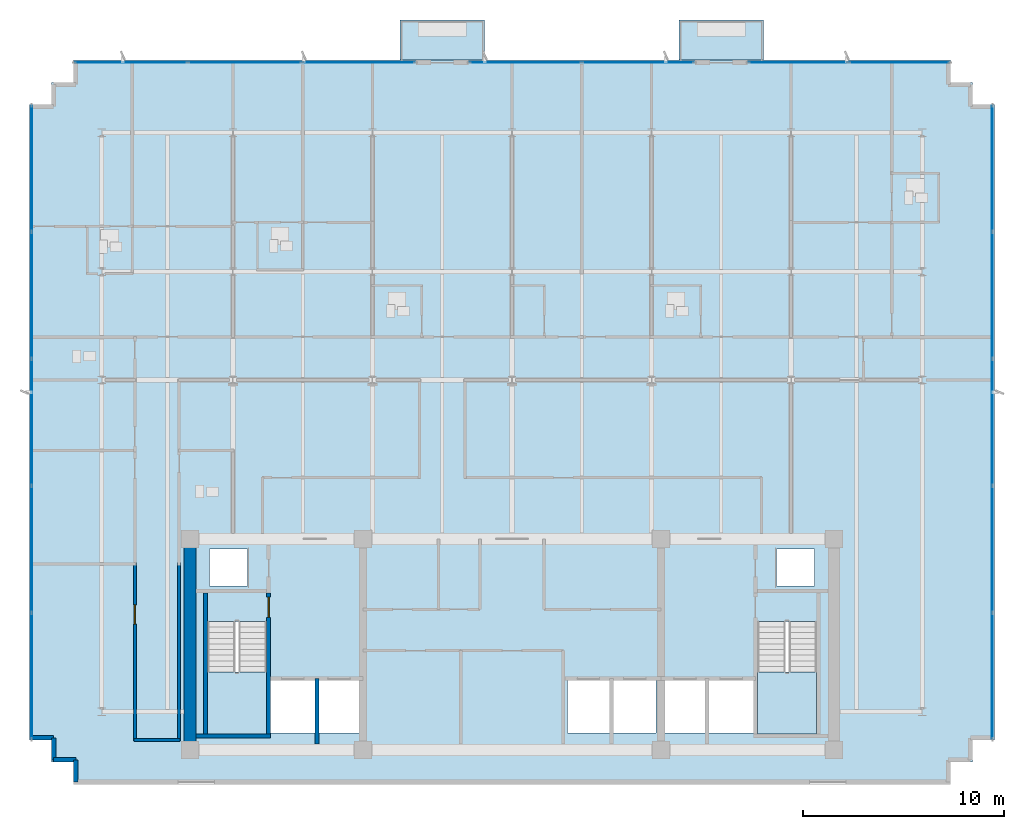
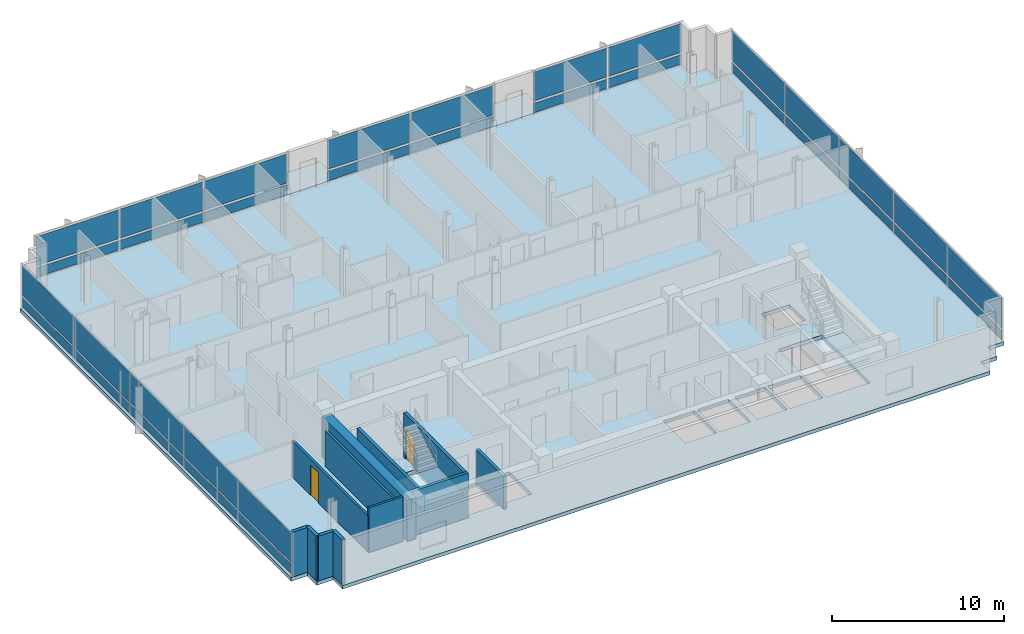
# One storey, part 7 of 14: 34 plates, 12 walls, 5 slabs, 2 doors, 2 openings, 7 elements without a shape of their own.
"""IFC4 building model written with IfcOpenShell, lengths in metres."""

from ifc_helpers import new_model, si_unit, direction, frame, frame_2d, origin, origin_2d, place, context, subcontext, project, spatial, polyline, rectangle, outline, extrude, material, layer, layer_set, type_object, element, fill, aggregate, save


model = new_model("IFC4")

# Units and contexts
model_context = context("Model", 3, precision=1e-05, world=origin(), true_north=direction((0.0, 1.0)))
body_context = subcontext(model_context, "Body", "Model", "MODEL_VIEW")
ifc_project = project(units=[si_unit("LENGTHUNIT", "METRE"), si_unit("AREAUNIT", "SQUARE_METRE"), si_unit("VOLUMEUNIT", "CUBIC_METRE"), si_unit("PLANEANGLEUNIT", "RADIAN"), si_unit("MASSUNIT", "GRAM", prefix="KILO")], contexts=[model_context])

# Site, building, storey
site_placement = place(None, origin())
site = spatial("IfcSite", under=ifc_project, at=site_placement, CompositionType="ELEMENT")
building_placement = place(site_placement, origin())
building = spatial("IfcBuilding", under=site, at=building_placement, Name="Solmavex Isthmus Hotel", CompositionType="ELEMENT")
storey_placement = place(building_placement, frame((0.0, 0.0, 255.75)))
storey = spatial("IfcBuildingStorey", under=building, at=storey_placement, Name="L69", CompositionType="ELEMENT", Elevation=255.75)

# Curtain wall, plates
ifc_material_1 = material(Name="Aluminium alloy 6063-T6", Category="aluminium")
curtain_wall_type = type_object("IfcCurtainWallType", Name="CW-SYS-04", PredefinedType="NOTDEFINED", material=ifc_material_1)
curtain_wall_1_placement = place(storey_placement, origin())
curtain_wall_1 = element("IfcCurtainWall", 1, at=curtain_wall_1_placement, inside=storey, type_object=curtain_wall_type, Name="Stick Curtain Wall CWL-L69-N1", PredefinedType="NOTDEFINED")
ifc_material_2 = material(Name="Clear low-E laminated glass", Category="glass")
ifc_layer_1 = layer(ifc_material_2, 0.033935546875)
ifc_layer_set_1 = layer_set([ifc_layer_1], Name="Clear low-E laminated glass")
plate_type = type_object("IfcPlateType", Name="CW-SYS-04-PNL", PredefinedType="CURTAIN_PANEL", material=ifc_layer_set_1)
plate_1_placement = place(storey_placement, frame((-18.942626953125, 21.179931640625, 0.14990234375), z_axis=(0.0, 0.0, 1.0), x_axis=(1.0, 0.0, 0.0)))
plate_1 = element("IfcPlate", 2, at=plate_1_placement, type_object=plate_type, Name="CW-04 panel 1.1", PredefinedType="CURTAIN_PANEL", context=body_context, shape_type="SweptSolid", body=[
    extrude(rectangle(XDim=5.56494140625, YDim=0.033935546875, at=origin_2d()), origin(), (0.0, 0.0, 1.0), 0.675048828125),
])
plate_2_placement = place(storey_placement, frame((-18.942626953125, 21.179931640625, 0.97509765625), z_axis=(0.0, 0.0, 1.0), x_axis=(1.0, 0.0, 0.0)))
plate_2 = element("IfcPlate", 3, at=plate_2_placement, type_object=plate_type, Name="CW-04 panel 1.2", PredefinedType="CURTAIN_PANEL", context=body_context, shape_type="SweptSolid", body=[
    extrude(rectangle(XDim=5.56494140625, YDim=0.033935546875, at=origin_2d()), origin(), (0.0, 0.0, 1.0), 2.06494140625),
])
plate_3_placement = place(storey_placement, frame((-13.283935546875, 21.179931640625, 0.14990234375), z_axis=(0.0, 0.0, 1.0), x_axis=(1.0, 0.0, 0.0)))
plate_3 = element("IfcPlate", 4, at=plate_3_placement, type_object=plate_type, Name="CW-04 panel 2.1", PredefinedType="CURTAIN_PANEL", context=body_context, shape_type="SweptSolid", body=[
    extrude(rectangle(XDim=5.602294921875, YDim=0.033935546875, at=origin_2d()), origin(), (0.0, 0.0, 1.0), 0.675048828125),
])
plate_4_placement = place(storey_placement, frame((-13.283935546875, 21.179931640625, 0.97509765625), z_axis=(0.0, 0.0, 1.0), x_axis=(1.0, 0.0, 0.0)))
plate_4 = element("IfcPlate", 5, at=plate_4_placement, type_object=plate_type, Name="CW-04 panel 2.2", PredefinedType="CURTAIN_PANEL", context=body_context, shape_type="SweptSolid", body=[
    extrude(rectangle(XDim=5.602294921875, YDim=0.033935546875, at=origin_2d()), origin(), (0.0, 0.0, 1.0), 2.06494140625),
])
plate_5_placement = place(storey_placement, frame((-7.62548828125, 21.179931640625, 0.14990234375), z_axis=(0.0, 0.0, 1.0), x_axis=(1.0, 0.0, 0.0)))
plate_5 = element("IfcPlate", 6, at=plate_5_placement, type_object=plate_type, Name="CW-04 panel 3.1", PredefinedType="CURTAIN_PANEL", context=body_context, shape_type="SweptSolid", body=[
    extrude(rectangle(XDim=5.56494140625, YDim=0.033935546875, at=origin_2d()), origin(), (0.0, 0.0, 1.0), 0.675048828125),
])
plate_6_placement = place(storey_placement, frame((-7.62548828125, 21.179931640625, 0.97509765625), z_axis=(0.0, 0.0, 1.0), x_axis=(1.0, 0.0, 0.0)))
plate_6 = element("IfcPlate", 7, at=plate_6_placement, type_object=plate_type, Name="CW-04 panel 3.2", PredefinedType="CURTAIN_PANEL", context=body_context, shape_type="SweptSolid", body=[
    extrude(rectangle(XDim=5.56494140625, YDim=0.033935546875, at=origin_2d()), origin(), (0.0, 0.0, 1.0), 2.06494140625),
])
aggregate(curtain_wall_1, [plate_1, plate_2, plate_3, plate_4, plate_5, plate_6])

curtain_wall_2_placement = place(storey_placement, origin())
curtain_wall_2 = element("IfcCurtainWall", 8, at=curtain_wall_2_placement, inside=storey, type_object=curtain_wall_type, Name="Stick Curtain Wall CWL-L69-N2", PredefinedType="NOTDEFINED")
plate_7_placement = place(storey_placement, frame((0.668701171875, 21.179931640625, 0.14990234375), z_axis=(0.0, 0.0, 1.0), x_axis=(1.0, 0.0, 0.0)))
plate_7 = element("IfcPlate", 9, at=plate_7_placement, type_object=plate_type, Name="CW-04 panel 1.1", PredefinedType="CURTAIN_PANEL", context=body_context, shape_type="SweptSolid", body=[
    extrude(rectangle(XDim=5.5234375, YDim=0.033935546875, at=origin_2d()), origin(), (0.0, 0.0, 1.0), 0.675048828125),
])
plate_8_placement = place(storey_placement, frame((0.668701171875, 21.179931640625, 0.97509765625), z_axis=(0.0, 0.0, 1.0), x_axis=(1.0, 0.0, 0.0)))
plate_8 = element("IfcPlate", 10, at=plate_8_placement, type_object=plate_type, Name="CW-04 panel 1.2", PredefinedType="CURTAIN_PANEL", context=body_context, shape_type="SweptSolid", body=[
    extrude(rectangle(XDim=5.5234375, YDim=0.033935546875, at=origin_2d()), origin(), (0.0, 0.0, 1.0), 2.06494140625),
])
plate_9_placement = place(storey_placement, frame((6.267333984375, 21.179931640625, 0.14990234375), z_axis=(0.0, 0.0, 1.0), x_axis=(1.0, 0.0, 0.0)))
plate_9 = element("IfcPlate", 11, at=plate_9_placement, type_object=plate_type, Name="CW-04 panel 2.1", PredefinedType="CURTAIN_PANEL", context=body_context, shape_type="SweptSolid", body=[
    extrude(rectangle(XDim=5.5234375, YDim=0.033935546875, at=origin_2d()), origin(), (0.0, 0.0, 1.0), 0.675048828125),
])
plate_10_placement = place(storey_placement, frame((6.267333984375, 21.179931640625, 0.97509765625), z_axis=(0.0, 0.0, 1.0), x_axis=(1.0, 0.0, 0.0)))
plate_10 = element("IfcPlate", 12, at=plate_10_placement, type_object=plate_type, Name="CW-04 panel 2.2", PredefinedType="CURTAIN_PANEL", context=body_context, shape_type="SweptSolid", body=[
    extrude(rectangle(XDim=5.5234375, YDim=0.033935546875, at=origin_2d()), origin(), (0.0, 0.0, 1.0), 2.06494140625),
])
aggregate(curtain_wall_2, [plate_7, plate_8, plate_9, plate_10])

curtain_wall_3_placement = place(storey_placement, origin())
curtain_wall_3 = element("IfcCurtainWall", 13, at=curtain_wall_3_placement, inside=storey, type_object=curtain_wall_type, Name="Stick Curtain Wall CWL-L69-N3", PredefinedType="NOTDEFINED")
plate_11_placement = place(storey_placement, frame((14.246826171875, 21.179931640625, 0.14990234375), z_axis=(0.0, 0.0, 1.0), x_axis=(1.0, 0.0, 0.0)))
plate_11 = element("IfcPlate", 14, at=plate_11_placement, type_object=plate_type, Name="CW-04 panel 1.1", PredefinedType="CURTAIN_PANEL", context=body_context, shape_type="SweptSolid", body=[
    extrude(rectangle(XDim=4.935546875, YDim=0.033935546875, at=origin_2d()), origin(), (0.0, 0.0, 1.0), 0.675048828125),
])
plate_12_placement = place(storey_placement, frame((14.246826171875, 21.179931640625, 0.97509765625), z_axis=(0.0, 0.0, 1.0), x_axis=(1.0, 0.0, 0.0)))
plate_12 = element("IfcPlate", 15, at=plate_12_placement, type_object=plate_type, Name="CW-04 panel 1.2", PredefinedType="CURTAIN_PANEL", context=body_context, shape_type="SweptSolid", body=[
    extrude(rectangle(XDim=4.935546875, YDim=0.033935546875, at=origin_2d()), origin(), (0.0, 0.0, 1.0), 2.06494140625),
])
plate_13_placement = place(storey_placement, frame((19.25732421875, 21.179931640625, 0.14990234375), z_axis=(0.0, 0.0, 1.0), x_axis=(1.0, 0.0, 0.0)))
plate_13 = element("IfcPlate", 16, at=plate_13_placement, type_object=plate_type, Name="CW-04 panel 2.1", PredefinedType="CURTAIN_PANEL", context=body_context, shape_type="SweptSolid", body=[
    extrude(rectangle(XDim=4.935546875, YDim=0.033935546875, at=origin_2d()), origin(), (0.0, 0.0, 1.0), 0.675048828125),
])
plate_14_placement = place(storey_placement, frame((19.25732421875, 21.179931640625, 0.97509765625), z_axis=(0.0, 0.0, 1.0), x_axis=(1.0, 0.0, 0.0)))
plate_14 = element("IfcPlate", 17, at=plate_14_placement, type_object=plate_type, Name="CW-04 panel 2.2", PredefinedType="CURTAIN_PANEL", context=body_context, shape_type="SweptSolid", body=[
    extrude(rectangle(XDim=4.935546875, YDim=0.033935546875, at=origin_2d()), origin(), (0.0, 0.0, 1.0), 2.06494140625),
])
aggregate(curtain_wall_3, [plate_11, plate_12, plate_13, plate_14])

curtain_wall_4_placement = place(storey_placement, origin())
curtain_wall_4 = element("IfcCurtainWall", 18, at=curtain_wall_4_placement, inside=storey, type_object=curtain_wall_type, Name="Stick Curtain Wall CWL-L69-W1", PredefinedType="NOTDEFINED")
plate_15_placement = place(storey_placement, frame((-23.8798828125, -9.3212890625, 0.14990234375), z_axis=(0.0, 0.0, 1.0), x_axis=(0.0, 1.0, 0.0)))
plate_15 = element("IfcPlate", 19, at=plate_15_placement, type_object=plate_type, Name="CW-04 panel 1.1", PredefinedType="CURTAIN_PANEL", context=body_context, shape_type="SweptSolid", body=[
    extrude(rectangle(XDim=6.20751953125, YDim=0.033935546875, at=origin_2d()), origin(), (0.0, 0.0, 1.0), 0.675048828125),
])
plate_16_placement = place(storey_placement, frame((-23.8798828125, -9.3212890625, 0.97509765625), z_axis=(0.0, 0.0, 1.0), x_axis=(0.0, 1.0, 0.0)))
plate_16 = element("IfcPlate", 20, at=plate_16_placement, type_object=plate_type, Name="CW-04 panel 1.2", PredefinedType="CURTAIN_PANEL", context=body_context, shape_type="SweptSolid", body=[
    extrude(rectangle(XDim=6.20751953125, YDim=0.033935546875, at=origin_2d()), origin(), (0.0, 0.0, 1.0), 2.06494140625),
])
plate_17_placement = place(storey_placement, frame((-23.8798828125, -3.02001953125, 0.14990234375), z_axis=(0.0, 0.0, 1.0), x_axis=(0.0, 1.0, 0.0)))
plate_17 = element("IfcPlate", 21, at=plate_17_placement, type_object=plate_type, Name="CW-04 panel 2.1", PredefinedType="CURTAIN_PANEL", context=body_context, shape_type="SweptSolid", body=[
    extrude(rectangle(XDim=6.2451171875, YDim=0.033935546875, at=origin_2d()), origin(), (0.0, 0.0, 1.0), 0.675048828125),
])
plate_18_placement = place(storey_placement, frame((-23.8798828125, -3.02001953125, 0.97509765625), z_axis=(0.0, 0.0, 1.0), x_axis=(0.0, 1.0, 0.0)))
plate_18 = element("IfcPlate", 22, at=plate_18_placement, type_object=plate_type, Name="CW-04 panel 2.2", PredefinedType="CURTAIN_PANEL", context=body_context, shape_type="SweptSolid", body=[
    extrude(rectangle(XDim=6.2451171875, YDim=0.033935546875, at=origin_2d()), origin(), (0.0, 0.0, 1.0), 2.06494140625),
])
plate_19_placement = place(storey_placement, frame((-23.8798828125, 3.300048828125, 0.14990234375), z_axis=(0.0, 0.0, 1.0), x_axis=(0.0, 1.0, 0.0)))
plate_19 = element("IfcPlate", 23, at=plate_19_placement, type_object=plate_type, Name="CW-04 panel 3.1", PredefinedType="CURTAIN_PANEL", context=body_context, shape_type="SweptSolid", body=[
    extrude(rectangle(XDim=6.2451171875, YDim=0.033935546875, at=origin_2d()), origin(), (0.0, 0.0, 1.0), 0.675048828125),
])
plate_20_placement = place(storey_placement, frame((-23.8798828125, 3.300048828125, 0.97509765625), z_axis=(0.0, 0.0, 1.0), x_axis=(0.0, 1.0, 0.0)))
plate_20 = element("IfcPlate", 24, at=plate_20_placement, type_object=plate_type, Name="CW-04 panel 3.2", PredefinedType="CURTAIN_PANEL", context=body_context, shape_type="SweptSolid", body=[
    extrude(rectangle(XDim=6.2451171875, YDim=0.033935546875, at=origin_2d()), origin(), (0.0, 0.0, 1.0), 2.06494140625),
])
plate_21_placement = place(storey_placement, frame((-23.8798828125, 9.6201171875, 0.14990234375), z_axis=(0.0, 0.0, 1.0), x_axis=(0.0, 1.0, 0.0)))
plate_21 = element("IfcPlate", 25, at=plate_21_placement, type_object=plate_type, Name="CW-04 panel 4.1", PredefinedType="CURTAIN_PANEL", context=body_context, shape_type="SweptSolid", body=[
    extrude(rectangle(XDim=6.2451171875, YDim=0.033935546875, at=origin_2d()), origin(), (0.0, 0.0, 1.0), 0.675048828125),
])
plate_22_placement = place(storey_placement, frame((-23.8798828125, 9.6201171875, 0.97509765625), z_axis=(0.0, 0.0, 1.0), x_axis=(0.0, 1.0, 0.0)))
plate_22 = element("IfcPlate", 26, at=plate_22_placement, type_object=plate_type, Name="CW-04 panel 4.2", PredefinedType="CURTAIN_PANEL", context=body_context, shape_type="SweptSolid", body=[
    extrude(rectangle(XDim=6.2451171875, YDim=0.033935546875, at=origin_2d()), origin(), (0.0, 0.0, 1.0), 2.06494140625),
])
plate_23_placement = place(storey_placement, frame((-23.8798828125, 15.921142578125, 0.14990234375), z_axis=(0.0, 0.0, 1.0), x_axis=(0.0, 1.0, 0.0)))
plate_23 = element("IfcPlate", 27, at=plate_23_placement, type_object=plate_type, Name="CW-04 panel 5.1", PredefinedType="CURTAIN_PANEL", context=body_context, shape_type="SweptSolid", body=[
    extrude(rectangle(XDim=6.20751953125, YDim=0.033935546875, at=origin_2d()), origin(), (0.0, 0.0, 1.0), 0.675048828125),
])
plate_24_placement = place(storey_placement, frame((-23.8798828125, 15.921142578125, 0.97509765625), z_axis=(0.0, 0.0, 1.0), x_axis=(0.0, 1.0, 0.0)))
plate_24 = element("IfcPlate", 28, at=plate_24_placement, type_object=plate_type, Name="CW-04 panel 5.2", PredefinedType="CURTAIN_PANEL", context=body_context, shape_type="SweptSolid", body=[
    extrude(rectangle(XDim=6.20751953125, YDim=0.033935546875, at=origin_2d()), origin(), (0.0, 0.0, 1.0), 2.06494140625),
])
aggregate(curtain_wall_4, [plate_15, plate_16, plate_17, plate_18, plate_19, plate_20, plate_21, plate_22, plate_23, plate_24])

curtain_wall_5_placement = place(storey_placement, origin())
curtain_wall_5 = element("IfcCurtainWall", 29, at=curtain_wall_5_placement, inside=storey, type_object=curtain_wall_type, Name="Stick Curtain Wall CWL-L69-E1", PredefinedType="NOTDEFINED")
plate_25_placement = place(storey_placement, frame((23.8798828125, -9.3212890625, 0.14990234375), z_axis=(0.0, 0.0, 1.0), x_axis=(0.0, 1.0, 0.0)))
plate_25 = element("IfcPlate", 30, at=plate_25_placement, type_object=plate_type, Name="CW-04 panel 1.1", PredefinedType="CURTAIN_PANEL", context=body_context, shape_type="SweptSolid", body=[
    extrude(rectangle(XDim=6.20751953125, YDim=0.033935546875, at=origin_2d()), origin(), (0.0, 0.0, 1.0), 0.675048828125),
])
plate_26_placement = place(storey_placement, frame((23.8798828125, -9.3212890625, 0.97509765625), z_axis=(0.0, 0.0, 1.0), x_axis=(0.0, 1.0, 0.0)))
plate_26 = element("IfcPlate", 31, at=plate_26_placement, type_object=plate_type, Name="CW-04 panel 1.2", PredefinedType="CURTAIN_PANEL", context=body_context, shape_type="SweptSolid", body=[
    extrude(rectangle(XDim=6.20751953125, YDim=0.033935546875, at=origin_2d()), origin(), (0.0, 0.0, 1.0), 2.06494140625),
])
plate_27_placement = place(storey_placement, frame((23.8798828125, -3.02001953125, 0.14990234375), z_axis=(0.0, 0.0, 1.0), x_axis=(0.0, 1.0, 0.0)))
plate_27 = element("IfcPlate", 32, at=plate_27_placement, type_object=plate_type, Name="CW-04 panel 2.1", PredefinedType="CURTAIN_PANEL", context=body_context, shape_type="SweptSolid", body=[
    extrude(rectangle(XDim=6.2451171875, YDim=0.033935546875, at=origin_2d()), origin(), (0.0, 0.0, 1.0), 0.675048828125),
])
plate_28_placement = place(storey_placement, frame((23.8798828125, -3.02001953125, 0.97509765625), z_axis=(0.0, 0.0, 1.0), x_axis=(0.0, 1.0, 0.0)))
plate_28 = element("IfcPlate", 33, at=plate_28_placement, type_object=plate_type, Name="CW-04 panel 2.2", PredefinedType="CURTAIN_PANEL", context=body_context, shape_type="SweptSolid", body=[
    extrude(rectangle(XDim=6.2451171875, YDim=0.033935546875, at=origin_2d()), origin(), (0.0, 0.0, 1.0), 2.06494140625),
])
plate_29_placement = place(storey_placement, frame((23.8798828125, 3.300048828125, 0.14990234375), z_axis=(0.0, 0.0, 1.0), x_axis=(0.0, 1.0, 0.0)))
plate_29 = element("IfcPlate", 34, at=plate_29_placement, type_object=plate_type, Name="CW-04 panel 3.1", PredefinedType="CURTAIN_PANEL", context=body_context, shape_type="SweptSolid", body=[
    extrude(rectangle(XDim=6.2451171875, YDim=0.033935546875, at=origin_2d()), origin(), (0.0, 0.0, 1.0), 0.675048828125),
])
plate_30_placement = place(storey_placement, frame((23.8798828125, 3.300048828125, 0.97509765625), z_axis=(0.0, 0.0, 1.0), x_axis=(0.0, 1.0, 0.0)))
plate_30 = element("IfcPlate", 35, at=plate_30_placement, type_object=plate_type, Name="CW-04 panel 3.2", PredefinedType="CURTAIN_PANEL", context=body_context, shape_type="SweptSolid", body=[
    extrude(rectangle(XDim=6.2451171875, YDim=0.033935546875, at=origin_2d()), origin(), (0.0, 0.0, 1.0), 2.06494140625),
])
plate_31_placement = place(storey_placement, frame((23.8798828125, 9.6201171875, 0.14990234375), z_axis=(0.0, 0.0, 1.0), x_axis=(0.0, 1.0, 0.0)))
plate_31 = element("IfcPlate", 36, at=plate_31_placement, type_object=plate_type, Name="CW-04 panel 4.1", PredefinedType="CURTAIN_PANEL", context=body_context, shape_type="SweptSolid", body=[
    extrude(rectangle(XDim=6.2451171875, YDim=0.033935546875, at=origin_2d()), origin(), (0.0, 0.0, 1.0), 0.675048828125),
])
plate_32_placement = place(storey_placement, frame((23.8798828125, 9.6201171875, 0.97509765625), z_axis=(0.0, 0.0, 1.0), x_axis=(0.0, 1.0, 0.0)))
plate_32 = element("IfcPlate", 37, at=plate_32_placement, type_object=plate_type, Name="CW-04 panel 4.2", PredefinedType="CURTAIN_PANEL", context=body_context, shape_type="SweptSolid", body=[
    extrude(rectangle(XDim=6.2451171875, YDim=0.033935546875, at=origin_2d()), origin(), (0.0, 0.0, 1.0), 2.06494140625),
])
plate_33_placement = place(storey_placement, frame((23.8798828125, 15.921142578125, 0.14990234375), z_axis=(0.0, 0.0, 1.0), x_axis=(0.0, 1.0, 0.0)))
plate_33 = element("IfcPlate", 38, at=plate_33_placement, type_object=plate_type, Name="CW-04 panel 5.1", PredefinedType="CURTAIN_PANEL", context=body_context, shape_type="SweptSolid", body=[
    extrude(rectangle(XDim=6.20751953125, YDim=0.033935546875, at=origin_2d()), origin(), (0.0, 0.0, 1.0), 0.675048828125),
])
plate_34_placement = place(storey_placement, frame((23.8798828125, 15.921142578125, 0.97509765625), z_axis=(0.0, 0.0, 1.0), x_axis=(0.0, 1.0, 0.0)))
plate_34 = element("IfcPlate", 39, at=plate_34_placement, type_object=plate_type, Name="CW-04 panel 5.2", PredefinedType="CURTAIN_PANEL", context=body_context, shape_type="SweptSolid", body=[
    extrude(rectangle(XDim=6.20751953125, YDim=0.033935546875, at=origin_2d()), origin(), (0.0, 0.0, 1.0), 2.06494140625),
])
aggregate(curtain_wall_5, [plate_25, plate_26, plate_27, plate_28, plate_29, plate_30, plate_31, plate_32, plate_33, plate_34])

# Slabs
ifc_material_3 = material(Name="Concrete C40/50", Category="concrete")
ifc_layer_2 = layer(ifc_material_3, 0.239990234375)
ifc_layer_set_2 = layer_set([ifc_layer_2], Name="Concrete C40/50")
slab_type_1 = type_object("IfcSlabType", Name="SLAB-BALC-240", PredefinedType="FLOOR", material=ifc_layer_set_2)
slab_1_placement = place(storey_placement, frame((0.0, 0.0, -0.239990234375)))
element("IfcSlab", 40, at=slab_1_placement, inside=storey, type_object=slab_type_1, Name="Tree-Planter Balcony Slab L69-B1", PredefinedType="FLOOR", context=body_context, shape_type="SweptSolid", body=[
    extrude(outline(polyline([(-5.568115234375, 21.31494140625), (-1.367919921875, 21.31494140625), (-1.367919921875, 23.300048828125), (-5.568115234375, 23.300048828125), (-5.568115234375, 21.31494140625)])), origin(), (0.0, 0.0, 1.0), 0.239990234375),
])
slab_2_placement = place(storey_placement, frame((0.0, 0.0, -0.239990234375)))
element("IfcSlab", 41, at=slab_2_placement, inside=storey, type_object=slab_type_1, Name="Tree-Planter Balcony Slab L69-B2", PredefinedType="FLOOR", context=body_context, shape_type="SweptSolid", body=[
    extrude(outline(polyline([(8.303955078125, 21.31494140625), (12.50390625, 21.31494140625), (12.50390625, 23.300048828125), (8.303955078125, 23.300048828125), (8.303955078125, 21.31494140625)])), origin(), (0.0, 0.0, 1.0), 0.239990234375),
])
ifc_layer_3 = layer(ifc_material_3, 0.260009765625)
ifc_layer_set_3 = layer_set([ifc_layer_3], Name="Concrete C40/50")
slab_type_2 = type_object("IfcSlabType", Name="SLAB-TYP-260", PredefinedType="FLOOR", material=ifc_layer_set_3)
slab_3_placement = place(storey_placement, frame((0.0, 0.0, -0.260009765625)))
element("IfcSlab", 42, at=slab_3_placement, inside=storey, type_object=slab_type_2, Name="Tower Structural Floor Slab L69", PredefinedType="FLOOR", context=body_context, shape_type="SweptSolid", body=[
    extrude(outline(polyline([(-20.699951171875, -14.699951171875), (20.699951171875, -14.699951171875), (21.800048828125, -14.699951171875), (21.800048828125, -13.60009765625), (22.89990234375, -13.60009765625), (22.89990234375, -12.5), (24.0, -12.5), (24.0, -11.39990234375), (24.0, 18.0), (24.0, 19.10009765625), (22.89990234375, 19.10009765625), (22.89990234375, 20.199951171875), (21.800048828125, 20.199951171875), (21.800048828125, 21.300048828125), (20.699951171875, 21.300048828125), (-20.699951171875, 21.300048828125), (-21.800048828125, 21.300048828125), (-21.800048828125, 20.199951171875), (-22.89990234375, 20.199951171875), (-22.89990234375, 19.10009765625), (-24.0, 19.10009765625), (-24.0, 18.0), (-24.0, -11.39990234375), (-24.0, -12.5), (-22.89990234375, -12.5), (-22.89990234375, -13.60009765625), (-21.800048828125, -13.60009765625), (-21.800048828125, -14.699951171875), (-20.699951171875, -14.699951171875)]), holes=[polyline([(-15.14990234375, -6.617919921875), (-15.14990234375, -12.199951171875), (-12.199951171875, -12.199951171875), (-12.199951171875, -6.617919921875), (-15.14990234375, -6.617919921875)]), polyline([(12.199951171875, -6.617919921875), (12.199951171875, -12.199951171875), (15.14990234375, -12.199951171875), (15.14990234375, -6.617919921875), (12.199951171875, -6.617919921875)]), polyline([(-12.0, -12.14990234375), (-9.800048828125, -12.14990234375), (-9.800048828125, -9.550048828125), (-12.0, -9.550048828125), (-12.0, -12.14990234375)]), polyline([(9.800048828125, -12.14990234375), (12.0, -12.14990234375), (12.0, -9.550048828125), (9.800048828125, -9.550048828125), (9.800048828125, -12.14990234375)]), polyline([(-9.60009765625, -12.14990234375), (-7.60009765625, -12.14990234375), (-7.60009765625, -9.550048828125), (-9.60009765625, -9.550048828125), (-9.60009765625, -12.14990234375)]), polyline([(7.60009765625, -12.14990234375), (9.60009765625, -12.14990234375), (9.60009765625, -9.550048828125), (7.60009765625, -9.550048828125), (7.60009765625, -12.14990234375)]), polyline([(2.75, -12.14990234375), (4.85009765625, -12.14990234375), (4.85009765625, -9.550048828125), (2.75, -9.550048828125), (2.75, -12.14990234375)]), polyline([(5.050048828125, -12.14990234375), (7.14990234375, -12.14990234375), (7.14990234375, -9.550048828125), (5.050048828125, -9.550048828125), (5.050048828125, -12.14990234375)]), polyline([(-15.050048828125, -4.85009765625), (-13.14990234375, -4.85009765625), (-13.14990234375, -3.0), (-15.050048828125, -3.0), (-15.050048828125, -4.85009765625)]), polyline([(13.14990234375, -4.85009765625), (15.050048828125, -4.85009765625), (15.050048828125, -3.0), (13.14990234375, -3.0), (13.14990234375, -4.85009765625)])]), origin(), (0.0, 0.0, 1.0), 0.260009765625),
])

# Stair, slab
stair_type_1 = type_object("IfcStairType", Name="STR-ST-1", PredefinedType="HALF_TURN_STAIR", material=ifc_material_3)
stair_1_placement = place(storey_placement, origin())
stair_1 = element("IfcStair", 43, at=stair_1_placement, inside=storey, type_object=stair_type_1, Name="L69 Protected Exit Stair ST-1", PredefinedType="HALF_TURN_STAIR")
ifc_layer_4 = layer(ifc_material_3, 0.219970703125)
ifc_layer_set_4 = layer_set([ifc_layer_4], Name="Concrete C40/50")
slab_type_3 = type_object("IfcSlabType", Name="SLD-ST-1", PredefinedType="LANDING", material=ifc_layer_set_4)
slab_4_placement = place(storey_placement, frame((0.0, 0.0, 1.52490234375)))
slab_4 = element("IfcSlab", 44, at=slab_4_placement, type_object=slab_type_3, Name="ST-1 landing 1", PredefinedType="LANDING", context=body_context, shape_type="SweptSolid", body=[
    extrude(outline(polyline([(-15.14990234375, -9.1201171875), (-15.14990234375, -12.199951171875), (-12.199951171875, -12.199951171875), (-12.199951171875, -9.1201171875), (-15.14990234375, -9.1201171875)])), origin(), (0.0, 0.0, 1.0), 0.2001953125),
])
aggregate(stair_1, [slab_4])

stair_type_2 = type_object("IfcStairType", Name="STR-ST-2", PredefinedType="HALF_TURN_STAIR", material=ifc_material_3)
stair_2_placement = place(storey_placement, origin())
stair_2 = element("IfcStair", 45, at=stair_2_placement, inside=storey, type_object=stair_type_2, Name="L69 Protected Exit Stair ST-2", PredefinedType="HALF_TURN_STAIR")
ifc_layer_5 = layer(ifc_material_3, 0.219970703125)
ifc_layer_set_5 = layer_set([ifc_layer_5], Name="Concrete C40/50")
slab_type_4 = type_object("IfcSlabType", Name="SLD-ST-2", PredefinedType="LANDING", material=ifc_layer_set_5)
slab_5_placement = place(storey_placement, frame((0.0, 0.0, 1.52490234375)))
slab_5 = element("IfcSlab", 46, at=slab_5_placement, type_object=slab_type_4, Name="ST-2 landing 1", PredefinedType="LANDING", context=body_context, shape_type="SweptSolid", body=[
    extrude(outline(polyline([(12.199951171875, -9.1201171875), (12.199951171875, -12.199951171875), (15.14990234375, -12.199951171875), (15.14990234375, -9.1201171875), (12.199951171875, -9.1201171875)])), origin(), (0.0, 0.0, 1.0), 0.2001953125),
])
aggregate(stair_2, [slab_5])

# Walls
ifc_material_4 = material(Name="Precast Concrete C40/50", Category="concrete")
ifc_layer_6 = layer(ifc_material_4, 0.25)
ifc_layer_set_6 = layer_set([ifc_layer_6], Name="Precast Concrete C40/50")
wall_type_1 = type_object("IfcWallType", Name="EW-TWR-250", PredefinedType="STANDARD", material=ifc_layer_set_6)
for number, where, z_axis, x_axis, name in (
    (47, (-21.68994140625, -14.590087890625, 0.0), (0.0, 0.0, 1.0), (0.0, 1.0, 0.0), "Serrated Corner Facade Panel L69-01"),
    (48, (-21.68994140625, -13.489990234375, 0.0), (0.0, 0.0, 1.0), (-1.0, 0.0, 0.0), "Serrated Corner Facade Panel L69-02"),
    (49, (-22.7900390625, -13.489990234375, 0.0), (0.0, 0.0, 1.0), (0.0, 1.0, 0.0), "Serrated Corner Facade Panel L69-03"),
):
    element("IfcWall", number, at=place(storey_placement, frame(where, z_axis=z_axis, x_axis=x_axis)), inside=storey, type_object=wall_type_1, Name=name, PredefinedType="STANDARD", context=body_context, shape_type="SweptSolid", body=[
        extrude(rectangle(XDim=1.10009765625, YDim=0.219970703125, at=frame_2d((0.550048828125, 0.0))), origin(), (0.0, 0.0, 1.0), 3.18994140625),
    ])
wall_1_placement = place(storey_placement, frame((-22.7900390625, -12.389892578125, 0.0), z_axis=(0.0, 0.0, 1.0), x_axis=(-1.0, 0.0, 0.0)))
element("IfcWall", 50, at=wall_1_placement, inside=storey, type_object=wall_type_1, Name="Serrated Corner Facade Panel L69-04", PredefinedType="STANDARD", context=body_context, shape_type="SweptSolid", body=[
    extrude(rectangle(XDim=1.099853515625, YDim=0.219970703125, at=frame_2d((0.5498046875, 0.0))), origin(), (0.0, 0.0, 1.0), 3.18994140625),
])
ifc_material_5 = material(Name="Gypsum plasterboard lining", Category="gypsum")
ifc_layer_7 = layer(ifc_material_5, 0.14990234375)
ifc_layer_set_7 = layer_set([ifc_layer_7], Name="Gypsum plasterboard lining")
wall_type_2 = type_object("IfcWallType", Name="IW-CORR-150", PredefinedType="PARTITIONING", material=ifc_layer_set_7)
wall_2_placement = place(storey_placement, frame((-16.550048828125, -3.66796875, 0.0), z_axis=(0.0, 0.0, 1.0), x_axis=(0.0, -1.0, 0.0)))
element("IfcWall", 51, at=wall_2_placement, inside=storey, type_object=wall_type_2, Name="Interior Partition Wall W-L69-P034", PredefinedType="PARTITIONING", context=body_context, shape_type="SweptSolid", body=[
    extrude(rectangle(XDim=8.8720703125, YDim=0.14990234375, at=frame_2d((4.43603515625, 0.0))), origin(), (0.0, 0.0, 1.0), 2.5576171875),
])
wall_3_placement = place(storey_placement, frame((-16.510009765625, -12.5, 0.0), z_axis=(0.0, 0.0, 1.0), x_axis=(-1.0, 0.0, 0.0)))
element("IfcWall", 52, at=wall_3_placement, inside=storey, type_object=wall_type_2, Name="Interior Partition Wall W-L69-P035", PredefinedType="PARTITIONING", context=body_context, shape_type="SweptSolid", body=[
    extrude(rectangle(XDim=2.280029296875, YDim=0.14990234375, at=frame_2d((1.14013671875, 0.0))), origin(), (0.0, 0.0, 1.0), 3.18994140625),
])

# Wall, opening, door
wall_4_placement = place(storey_placement, frame((-18.75, -12.5400390625, 0.0), z_axis=(0.0, 0.0, 1.0), x_axis=(0.0, 1.0, 0.0)))
wall_4 = element("IfcWall", 53, at=wall_4_placement, inside=storey, type_object=wall_type_2, Name="Interior Partition Wall W-L69-P036", PredefinedType="PARTITIONING", context=body_context, shape_type="SweptSolid", body=[
    extrude(rectangle(XDim=8.8720703125, YDim=0.14990234375, at=frame_2d((4.43603515625, 0.0))), origin(), (0.0, 0.0, 1.0), 2.5576171875),
])
opening_1_placement = place(wall_4_placement, frame((5.807373046875, 0.0, 0.0)))
opening_1 = element("IfcOpeningElement", 54, at=opening_1_placement, cuts=wall_4, Name="Opening ID-C095", PredefinedType="OPENING", context=body_context, shape_type="SweptSolid", body=[
    extrude(rectangle(XDim=0.949951171875, YDim=2.14990234375, at=frame_2d((0.47509765625, 1.074951171875))), frame((0.0, 0.0849609375, 0.0), z_axis=(0.0, -1.0, 0.0), x_axis=(1.0, 0.0, 0.0)), (0.0, 0.0, 1.0), 0.169921875),
])
ifc_material_6 = material(Name="Hardwood timber", Category="wood")
door_type_1 = type_object("IfcDoorType", Name="IDR-FD60-0950", OperationType="NOTDEFINED", PredefinedType="DOOR", material=ifc_material_6)
door_1_placement = place(opening_1_placement, origin())
door_1 = element("IfcDoor", 55, at=door_1_placement, inside=storey, type_object=door_type_1, Name="Executive Hospitality Lounge Door L69-28", OperationType="SINGLE_SWING_RIGHT", OverallHeight=2.14990234375, OverallWidth=0.949951171875, PredefinedType="DOOR", context=body_context, shape_type="SweptSolid", body=[
    extrude(rectangle(XDim=0.949951171875, YDim=2.14990234375, at=frame_2d((0.47509765625, 1.074951171875))), frame((0.0, 0.02490234375, 0.0), z_axis=(0.0, -1.0, 0.0), x_axis=(1.0, 0.0, 0.0)), (0.0, 0.0, 1.0), 0.050048828125),
])
fill(opening_1, door_1)

# Walls
ifc_layer_8 = layer(ifc_material_3, 0.199951171875)
ifc_layer_set_8 = layer_set([ifc_layer_8], Name="Concrete C40/50")
wall_type_3 = type_object("IfcWallType", Name="IW-SHAFT-200", PredefinedType="PARTITIONING", material=ifc_layer_set_8)
wall_5_placement = place(storey_placement, frame((-9.699951171875, -12.699951171875, 0.0), z_axis=(0.0, 0.0, 1.0), x_axis=(0.0, 1.0, 0.0)))
element("IfcWall", 56, at=wall_5_placement, inside=storey, type_object=wall_type_3, Name="Interior Partition Wall W-L69-FFLW-M", PredefinedType="PARTITIONING", context=body_context, shape_type="SweptSolid", body=[
    extrude(rectangle(XDim=3.25, YDim=0.199951171875, at=frame_2d((1.625, 0.0))), origin(), (0.0, 0.0, 1.0), 2.324951171875),
])
ifc_material_7 = material(Name="Concrete C50/60", Category="concrete")
ifc_layer_9 = layer(ifc_material_7, 0.60009765625)
ifc_layer_set_9 = layer_set([ifc_layer_9], Name="Concrete C50/60")
wall_type_4 = type_object("IfcWallType", Name="WALL-CW-600", PredefinedType="SHEAR", material=ifc_layer_set_9)
wall_6_placement = place(storey_placement, frame((-16.0, -12.699951171875, 0.0), z_axis=(0.0, 0.0, 1.0), x_axis=(0.0, 1.0, 0.0)))
element("IfcWall", 57, at=wall_6_placement, inside=storey, type_object=wall_type_4, Name="Core Shear Wall West L69", PredefinedType="SHEAR", context=body_context, shape_type="SweptSolid", body=[
    extrude(rectangle(XDim=9.89990234375, YDim=0.60009765625, at=frame_2d((4.949951171875, 0.0))), origin(), (0.0, 0.0, 1.0), 2.909912109375),
])
ifc_layer_10 = layer(ifc_material_3, 0.199951171875)
ifc_layer_set_10 = layer_set([ifc_layer_10], Name="Concrete C40/50")
wall_type_5 = type_object("IfcWallType", Name="WALL-SW-200", PredefinedType="SOLIDWALL", material=ifc_layer_set_10)
wall_7_placement = place(storey_placement, frame((-15.699951171875, -12.300048828125, 0.0), z_axis=(0.0, 0.0, 1.0), x_axis=(1.0, 0.0, 0.0)))
element("IfcWall", 58, at=wall_7_placement, inside=storey, type_object=wall_type_5, Name="Stairwell Structural Wall SW-L69-ST1-S", PredefinedType="SOLIDWALL", context=body_context, shape_type="SweptSolid", body=[
    extrude(rectangle(XDim=3.699951171875, YDim=0.199951171875, at=frame_2d((1.85009765625, 0.0))), origin(), (0.0, 0.0, 1.0), 3.18994140625),
])
wall_8_placement = place(storey_placement, frame((-15.25, -12.199951171875, 0.0), z_axis=(0.0, 0.0, 1.0), x_axis=(0.0, 1.0, 0.0)))
element("IfcWall", 59, at=wall_8_placement, inside=storey, type_object=wall_type_5, Name="Stairwell Structural Wall SW-L69-ST1-W", PredefinedType="SOLIDWALL", context=body_context, shape_type="SweptSolid", body=[
    extrude(rectangle(XDim=7.0, YDim=0.199951171875, at=frame_2d((3.5, 0.0))), origin(), (0.0, 0.0, 1.0), 3.18994140625),
])

# Wall, opening, door
wall_9_placement = place(storey_placement, frame((-12.10009765625, -12.199951171875, 0.0), z_axis=(0.0, 0.0, 1.0), x_axis=(0.0, 1.0, 0.0)))
wall_9 = element("IfcWall", 60, at=wall_9_placement, inside=storey, type_object=wall_type_5, Name="Stairwell Structural Wall SW-L69-ST1-E", PredefinedType="SOLIDWALL", context=body_context, shape_type="SweptSolid", body=[
    extrude(rectangle(XDim=7.0, YDim=0.199951171875, at=frame_2d((3.5, 0.0))), origin(), (0.0, 0.0, 1.0), 3.18994140625),
])
opening_2_placement = place(wall_9_placement, frame((5.800048828125, 0.0, 0.0)))
opening_2 = element("IfcOpeningElement", 61, at=opening_2_placement, cuts=wall_9, Name="Opening ID-F100", PredefinedType="OPENING", context=body_context, shape_type="SweptSolid", body=[
    extrude(rectangle(XDim=1.0, YDim=2.10009765625, at=frame_2d((0.5, 1.050048828125))), frame((0.0, 0.10986328125, 0.0), z_axis=(0.0, -1.0, 0.0), x_axis=(1.0, 0.0, 0.0)), (0.0, 0.0, 1.0), 0.219970703125),
])
ifc_material_8 = material(Name="Steel ASTM A500 Grade C", Category="steel")
door_type_2 = type_object("IfcDoorType", Name="IDR-FD90-1000", OperationType="NOTDEFINED", PredefinedType="DOOR", material=ifc_material_8)
door_2_placement = place(opening_2_placement, frame((1.0, 0.0, 0.0), z_axis=(0.0, 0.0, 1.0), x_axis=(-1.0, 0.0, 0.0)))
door_2 = element("IfcDoor", 62, at=door_2_placement, inside=storey, type_object=door_type_2, Name="Stair ST-1 Fire Door L69", OperationType="SINGLE_SWING_LEFT", OverallHeight=2.10009765625, OverallWidth=1.0, PredefinedType="DOOR", context=body_context, shape_type="SweptSolid", body=[
    extrude(rectangle(XDim=1.0, YDim=2.10009765625, at=frame_2d((0.5, 1.050048828125))), frame((0.0, 0.02490234375, 0.0), z_axis=(0.0, -1.0, 0.0), x_axis=(1.0, 0.0, 0.0)), (0.0, 0.0, 1.0), 0.050048828125),
])
fill(opening_2, door_2)

save(model, "model.ifc")
